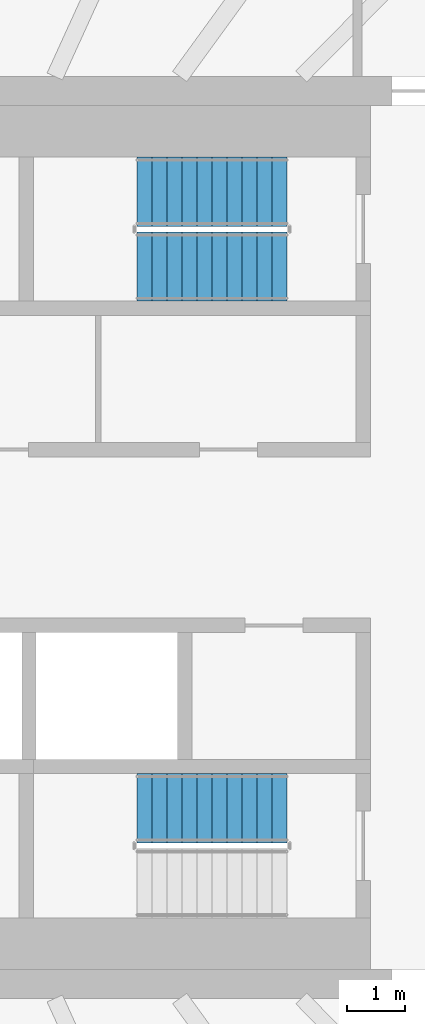
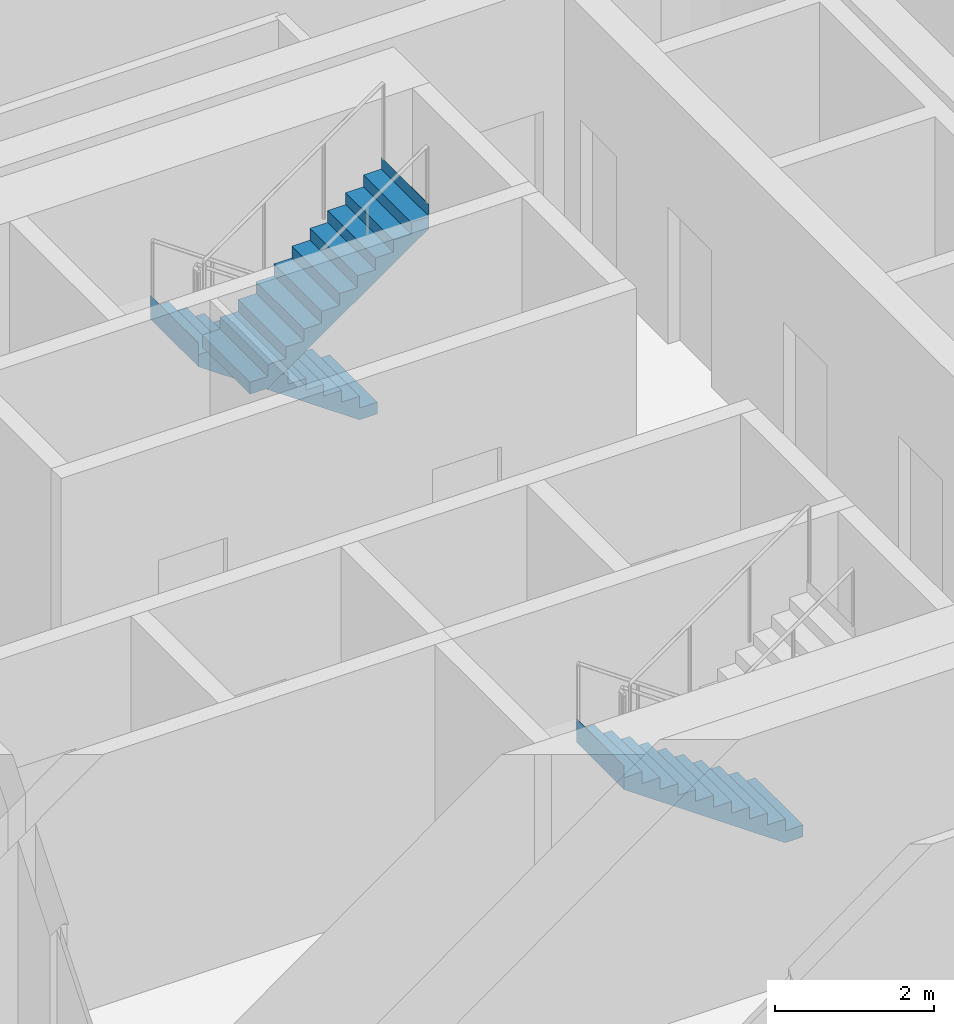
# One storey, part 16 of 22: 3 stair flights, 2 elements without a shape of their own.
"""IFC4 building model written with IfcOpenShell, lengths in metres."""

from ifc_helpers import new_model, si_unit, direction, frame, origin, place, context, subcontext, project, spatial, triangles, material, type_object, element, aggregate, save


model = new_model("IFC4")

# Units and contexts
model_context = context("Model", 3, precision=1e-05, world=origin(), true_north=direction((0.0, 1.0)))
body_context = subcontext(model_context, "Body", "Model", "MODEL_VIEW")
ifc_project = project(units=[si_unit("LENGTHUNIT", "METRE"), si_unit("AREAUNIT", "SQUARE_METRE"), si_unit("VOLUMEUNIT", "CUBIC_METRE"), si_unit("PLANEANGLEUNIT", "RADIAN"), si_unit("MASSUNIT", "GRAM", prefix="KILO")], contexts=[model_context])

# Site, building, storey
site_placement = place(None, origin())
site = spatial("IfcSite", under=ifc_project, at=site_placement, CompositionType="ELEMENT")
building_placement = place(site_placement, origin())
building = spatial("IfcBuilding", under=site, at=building_placement, Name="Sahrelin Media Tower", CompositionType="ELEMENT")
storey_placement = place(building_placement, frame((0.0, 0.0, 177.60009765625)))
storey = spatial("IfcBuildingStorey", under=building, at=storey_placement, Name="L37", CompositionType="ELEMENT", Elevation=177.60009765625)

# Stair, stair flights
ifc_material = material(Name="Concrete C40/50", Category="concrete")
stair_type = type_object("IfcStairType", Name="Exit stair 1200", PredefinedType="HALF_TURN_STAIR", material=ifc_material)
placement = place(storey_placement, origin())
stair_1 = element("IfcStair", 1, at=placement, inside=storey, type_object=stair_type, Name="L37 Exit stair ST3", PredefinedType="HALF_TURN_STAIR")
stair_flight_type = type_object("IfcStairFlightType", Name="Stair flight 1200", PredefinedType="STRAIGHT", material=ifc_material)
stair_flight_1_placement = place(storey_placement, frame((7.675048828125, 6.0, 0.0), z_axis=(0.0, 0.0, 1.0), x_axis=(-1.0, 0.0, 0.0)))
stair_flight_1 = element("IfcStairFlight", 2, at=stair_flight_1_placement, type_object=stair_flight_type, Name="ST3 flight 1", NumberOfRisers=11, NumberOfTreads=10, PredefinedType="STRAIGHT", RiserHeight=0.181818182, TreadLength=0.26, context=body_context, shape_type="Tessellation", body=[
    triangles([(0.261474609375, 0.60009765625, 0.0), (0.261474609375, 0.300048828125, 0.0), (0.261474609375, 0.0, 0.0), (0.261474609375, -0.300048828125, 0.0), (0.261474609375, -0.60009765625, 0.0), (2.60009765625, 0.60009765625, 1.63525390625), (2.60009765625, 0.300048828125, 1.63525390625), (2.60009765625, 0.0, 1.63525390625), (2.60009765625, -0.300048828125, 1.63525390625), (2.60009765625, -0.60009765625, 1.63525390625), (2.60009765625, 0.60009765625, 2.0), (2.60009765625, 0.300048828125, 2.0), (2.60009765625, 0.0, 2.0), (2.60009765625, -0.300048828125, 2.0), (2.60009765625, -0.60009765625, 2.0), (2.597900390625, 0.60009765625, 2.0), (2.597900390625, 0.300048828125, 2.0), (2.597900390625, 0.0, 2.0), (2.597900390625, -0.300048828125, 2.0), (2.597900390625, -0.60009765625, 2.0), (2.597900390625, 0.60009765625, 1.818115234375), (2.597900390625, 0.300048828125, 1.818115234375), (2.597900390625, 0.0, 1.818115234375), (2.597900390625, -0.300048828125, 1.818115234375), (2.597900390625, -0.60009765625, 1.818115234375), (2.340087890625, 0.60009765625, 1.818115234375), (2.340087890625, 0.300048828125, 1.818115234375), (2.340087890625, 0.0, 1.818115234375), (2.340087890625, -0.300048828125, 1.818115234375), (2.340087890625, -0.60009765625, 1.818115234375), (2.340087890625, 0.60009765625, 1.636474609375), (2.340087890625, 0.300048828125, 1.636474609375), (2.340087890625, 0.0, 1.636474609375), (2.340087890625, -0.300048828125, 1.636474609375), (2.340087890625, -0.60009765625, 1.636474609375), (2.080078125, 0.60009765625, 1.636474609375), (2.080078125, 0.300048828125, 1.636474609375), (2.080078125, 0.0, 1.636474609375), (2.080078125, -0.300048828125, 1.636474609375), (2.080078125, -0.60009765625, 1.636474609375), (2.080078125, 0.60009765625, 1.45458984375), (2.080078125, 0.300048828125, 1.45458984375), (2.080078125, 0.0, 1.45458984375), (2.080078125, -0.300048828125, 1.45458984375), (2.080078125, -0.60009765625, 1.45458984375), (1.820068359375, 0.60009765625, 1.45458984375), (1.820068359375, 0.300048828125, 1.45458984375), (1.820068359375, 0.0, 1.45458984375), (1.820068359375, -0.300048828125, 1.45458984375), (1.820068359375, -0.60009765625, 1.45458984375), (1.820068359375, 0.60009765625, 1.272705078125), (1.820068359375, 0.300048828125, 1.272705078125), (1.820068359375, 0.0, 1.272705078125), (1.820068359375, -0.300048828125, 1.272705078125), (1.820068359375, -0.60009765625, 1.272705078125), (1.56005859375, 0.60009765625, 1.272705078125), (1.56005859375, 0.300048828125, 1.272705078125), (1.56005859375, 0.0, 1.272705078125), (1.56005859375, -0.300048828125, 1.272705078125), (1.56005859375, -0.60009765625, 1.272705078125), (1.56005859375, 0.60009765625, 1.0908203125), (1.56005859375, 0.300048828125, 1.0908203125), (1.56005859375, 0.0, 1.0908203125), (1.56005859375, -0.300048828125, 1.0908203125), (1.56005859375, -0.60009765625, 1.0908203125), (1.300048828125, 0.60009765625, 1.0908203125), (1.300048828125, 0.300048828125, 1.0908203125), (1.300048828125, 0.0, 1.0908203125), (1.300048828125, -0.300048828125, 1.0908203125), (1.300048828125, -0.60009765625, 1.0908203125), (1.300048828125, 0.60009765625, 0.9091796875), (1.300048828125, 0.300048828125, 0.9091796875), (1.300048828125, 0.0, 0.9091796875), (1.300048828125, -0.300048828125, 0.9091796875), (1.300048828125, -0.60009765625, 0.9091796875), (1.0400390625, 0.60009765625, 0.9091796875), (1.0400390625, 0.300048828125, 0.9091796875), (1.0400390625, 0.0, 0.9091796875), (1.0400390625, -0.300048828125, 0.9091796875), (1.0400390625, -0.60009765625, 0.9091796875), (1.0400390625, 0.60009765625, 0.727294921875), (1.0400390625, 0.300048828125, 0.727294921875), (1.0400390625, 0.0, 0.727294921875), (1.0400390625, -0.300048828125, 0.727294921875), (1.0400390625, -0.60009765625, 0.727294921875), (0.780029296875, 0.60009765625, 0.727294921875), (0.780029296875, 0.300048828125, 0.727294921875), (0.780029296875, 0.0, 0.727294921875), (0.780029296875, -0.300048828125, 0.727294921875), (0.780029296875, -0.60009765625, 0.727294921875), (0.780029296875, 0.60009765625, 0.54541015625), (0.780029296875, 0.300048828125, 0.54541015625), (0.780029296875, 0.0, 0.54541015625), (0.780029296875, -0.300048828125, 0.54541015625), (0.780029296875, -0.60009765625, 0.54541015625), (0.52001953125, 0.60009765625, 0.54541015625), (0.52001953125, 0.300048828125, 0.54541015625), (0.52001953125, 0.0, 0.54541015625), (0.52001953125, -0.300048828125, 0.54541015625), (0.52001953125, -0.60009765625, 0.54541015625), (0.52001953125, 0.60009765625, 0.363525390625), (0.52001953125, 0.300048828125, 0.363525390625), (0.52001953125, 0.0, 0.363525390625), (0.52001953125, -0.300048828125, 0.363525390625), (0.52001953125, -0.60009765625, 0.363525390625), (0.260009765625, 0.60009765625, 0.363525390625), (0.260009765625, 0.300048828125, 0.363525390625), (0.260009765625, 0.0, 0.363525390625), (0.260009765625, -0.300048828125, 0.363525390625), (0.260009765625, -0.60009765625, 0.363525390625), (0.260009765625, 0.60009765625, 0.181884765625), (0.260009765625, 0.300048828125, 0.181884765625), (0.260009765625, 0.0, 0.181884765625), (0.260009765625, -0.300048828125, 0.181884765625), (0.260009765625, -0.60009765625, 0.181884765625), (0.0, 0.60009765625, 0.181884765625), (0.0, 0.300048828125, 0.181884765625), (0.0, 0.0, 0.181884765625), (0.0, -0.300048828125, 0.181884765625), (0.0, -0.60009765625, 0.181884765625), (0.0, 0.60009765625, 0.0), (0.0, 0.300048828125, 0.0), (0.0, 0.0, 0.0), (0.0, -0.300048828125, 0.0), (0.0, -0.60009765625, 0.0)], [[1, 6, 7], [1, 7, 2], [2, 7, 8], [2, 8, 3], [3, 8, 9], [3, 9, 4], [4, 9, 10], [4, 10, 5], [6, 11, 12], [6, 12, 7], [7, 12, 13], [7, 13, 8], [8, 13, 14], [8, 14, 9], [9, 14, 15], [9, 15, 10], [11, 16, 17], [11, 17, 12], [12, 17, 18], [12, 18, 13], [13, 18, 19], [13, 19, 14], [14, 19, 20], [14, 20, 15], [16, 21, 22], [16, 22, 17], [17, 22, 23], [17, 23, 18], [18, 23, 24], [18, 24, 19], [19, 24, 25], [19, 25, 20], [21, 26, 27], [21, 27, 22], [22, 27, 28], [22, 28, 23], [23, 28, 29], [23, 29, 24], [24, 29, 30], [24, 30, 25], [26, 31, 32], [26, 32, 27], [27, 32, 33], [27, 33, 28], [28, 33, 34], [28, 34, 29], [29, 34, 35], [29, 35, 30], [31, 36, 37], [31, 37, 32], [32, 37, 38], [32, 38, 33], [33, 38, 39], [33, 39, 34], [34, 39, 40], [34, 40, 35], [36, 41, 42], [36, 42, 37], [37, 42, 43], [37, 43, 38], [38, 43, 44], [38, 44, 39], [39, 44, 45], [39, 45, 40], [41, 46, 47], [41, 47, 42], [42, 47, 48], [42, 48, 43], [43, 48, 49], [43, 49, 44], [44, 49, 50], [44, 50, 45], [46, 51, 52], [46, 52, 47], [47, 52, 53], [47, 53, 48], [48, 53, 54], [48, 54, 49], [49, 54, 55], [49, 55, 50], [51, 56, 57], [51, 57, 52], [52, 57, 58], [52, 58, 53], [53, 58, 59], [53, 59, 54], [54, 59, 60], [54, 60, 55], [56, 61, 62], [56, 62, 57], [57, 62, 63], [57, 63, 58], [58, 63, 64], [58, 64, 59], [59, 64, 65], [59, 65, 60], [61, 66, 67], [61, 67, 62], [62, 67, 68], [62, 68, 63], [63, 68, 69], [63, 69, 64], [64, 69, 70], [64, 70, 65], [66, 71, 72], [66, 72, 67], [67, 72, 73], [67, 73, 68], [68, 73, 74], [68, 74, 69], [69, 74, 75], [69, 75, 70], [71, 76, 77], [71, 77, 72], [72, 77, 78], [72, 78, 73], [73, 78, 79], [73, 79, 74], [74, 79, 80], [74, 80, 75], [76, 81, 82], [76, 82, 77], [77, 82, 83], [77, 83, 78], [78, 83, 84], [78, 84, 79], [79, 84, 85], [79, 85, 80], [81, 86, 87], [81, 87, 82], [82, 87, 88], [82, 88, 83], [83, 88, 89], [83, 89, 84], [84, 89, 90], [84, 90, 85], [86, 91, 92], [86, 92, 87], [87, 92, 93], [87, 93, 88], [88, 93, 94], [88, 94, 89], [89, 94, 95], [89, 95, 90], [91, 96, 97], [91, 97, 92], [92, 97, 98], [92, 98, 93], [93, 98, 99], [93, 99, 94], [94, 99, 100], [94, 100, 95], [96, 101, 102], [96, 102, 97], [97, 102, 103], [97, 103, 98], [98, 103, 104], [98, 104, 99], [99, 104, 105], [99, 105, 100], [101, 106, 107], [101, 107, 102], [102, 107, 108], [102, 108, 103], [103, 108, 109], [103, 109, 104], [104, 109, 110], [104, 110, 105], [106, 111, 112], [106, 112, 107], [107, 112, 113], [107, 113, 108], [108, 113, 114], [108, 114, 109], [109, 114, 115], [109, 115, 110], [111, 116, 117], [111, 117, 112], [112, 117, 118], [112, 118, 113], [113, 118, 119], [113, 119, 114], [114, 119, 120], [114, 120, 115], [116, 121, 122], [116, 122, 117], [117, 122, 123], [117, 123, 118], [118, 123, 124], [118, 124, 119], [119, 124, 125], [119, 125, 120], [121, 1, 2], [121, 2, 122], [122, 2, 3], [122, 3, 123], [123, 3, 4], [123, 4, 124], [124, 4, 5], [124, 5, 125], [115, 120, 125], [111, 121, 116], [115, 105, 110], [111, 106, 101], [105, 95, 100], [101, 96, 91], [95, 85, 90], [91, 86, 81], [85, 75, 80], [81, 76, 71], [75, 65, 70], [71, 66, 61], [65, 55, 60], [61, 56, 51], [55, 45, 50], [51, 46, 41], [45, 35, 40], [41, 36, 31], [35, 25, 30], [31, 26, 21], [25, 15, 20], [21, 16, 11], [125, 5, 115], [121, 111, 1], [25, 10, 15], [21, 11, 6], [105, 115, 5], [101, 1, 111], [35, 10, 25], [31, 21, 6], [95, 105, 5], [91, 1, 101], [45, 10, 35], [41, 31, 6], [85, 95, 5], [81, 1, 91], [55, 10, 45], [51, 41, 6], [75, 85, 5], [71, 1, 81], [65, 10, 55], [61, 51, 6], [5, 10, 75], [1, 71, 6], [75, 10, 65], [71, 61, 6]], closed=True),
])
stair_flight_2_placement = place(storey_placement, frame((5.074951171875, 4.699951171875, 2.0), z_axis=(0.0, 0.0, 1.0), x_axis=(1.0, 0.0, 0.0)))
stair_flight_2 = element("IfcStairFlight", 3, at=stair_flight_2_placement, type_object=stair_flight_type, Name="ST3 flight 2", NumberOfRisers=11, NumberOfTreads=10, PredefinedType="STRAIGHT", RiserHeight=0.181818182, TreadLength=0.26, context=body_context, shape_type="Tessellation", body=[
    triangles([(0.261474609375, 0.60009765625, 0.0), (0.261474609375, 0.300048828125, 0.0), (0.261474609375, 0.0, 0.0), (0.261474609375, -0.300048828125, 0.0), (0.261474609375, -0.60009765625, 0.0), (2.60009765625, 0.60009765625, 1.63525390625), (2.60009765625, 0.300048828125, 1.63525390625), (2.60009765625, 0.0, 1.63525390625), (2.60009765625, -0.300048828125, 1.63525390625), (2.60009765625, -0.60009765625, 1.63525390625), (2.60009765625, 0.60009765625, 2.0), (2.60009765625, 0.300048828125, 2.0), (2.60009765625, 0.0, 2.0), (2.60009765625, -0.300048828125, 2.0), (2.60009765625, -0.60009765625, 2.0), (2.597900390625, 0.60009765625, 2.0), (2.597900390625, 0.300048828125, 2.0), (2.597900390625, 0.0, 2.0), (2.597900390625, -0.300048828125, 2.0), (2.597900390625, -0.60009765625, 2.0), (2.597900390625, 0.60009765625, 1.818115234375), (2.597900390625, 0.300048828125, 1.818115234375), (2.597900390625, 0.0, 1.818115234375), (2.597900390625, -0.300048828125, 1.818115234375), (2.597900390625, -0.60009765625, 1.818115234375), (2.340087890625, 0.60009765625, 1.818115234375), (2.340087890625, 0.300048828125, 1.818115234375), (2.340087890625, 0.0, 1.818115234375), (2.340087890625, -0.300048828125, 1.818115234375), (2.340087890625, -0.60009765625, 1.818115234375), (2.340087890625, 0.60009765625, 1.636474609375), (2.340087890625, 0.300048828125, 1.636474609375), (2.340087890625, 0.0, 1.636474609375), (2.340087890625, -0.300048828125, 1.636474609375), (2.340087890625, -0.60009765625, 1.636474609375), (2.080078125, 0.60009765625, 1.636474609375), (2.080078125, 0.300048828125, 1.636474609375), (2.080078125, 0.0, 1.636474609375), (2.080078125, -0.300048828125, 1.636474609375), (2.080078125, -0.60009765625, 1.636474609375), (2.080078125, 0.60009765625, 1.45458984375), (2.080078125, 0.300048828125, 1.45458984375), (2.080078125, 0.0, 1.45458984375), (2.080078125, -0.300048828125, 1.45458984375), (2.080078125, -0.60009765625, 1.45458984375), (1.820068359375, 0.60009765625, 1.45458984375), (1.820068359375, 0.300048828125, 1.45458984375), (1.820068359375, 0.0, 1.45458984375), (1.820068359375, -0.300048828125, 1.45458984375), (1.820068359375, -0.60009765625, 1.45458984375), (1.820068359375, 0.60009765625, 1.272705078125), (1.820068359375, 0.300048828125, 1.272705078125), (1.820068359375, 0.0, 1.272705078125), (1.820068359375, -0.300048828125, 1.272705078125), (1.820068359375, -0.60009765625, 1.272705078125), (1.56005859375, 0.60009765625, 1.272705078125), (1.56005859375, 0.300048828125, 1.272705078125), (1.56005859375, 0.0, 1.272705078125), (1.56005859375, -0.300048828125, 1.272705078125), (1.56005859375, -0.60009765625, 1.272705078125), (1.56005859375, 0.60009765625, 1.0908203125), (1.56005859375, 0.300048828125, 1.0908203125), (1.56005859375, 0.0, 1.0908203125), (1.56005859375, -0.300048828125, 1.0908203125), (1.56005859375, -0.60009765625, 1.0908203125), (1.300048828125, 0.60009765625, 1.0908203125), (1.300048828125, 0.300048828125, 1.0908203125), (1.300048828125, 0.0, 1.0908203125), (1.300048828125, -0.300048828125, 1.0908203125), (1.300048828125, -0.60009765625, 1.0908203125), (1.300048828125, 0.60009765625, 0.9091796875), (1.300048828125, 0.300048828125, 0.9091796875), (1.300048828125, 0.0, 0.9091796875), (1.300048828125, -0.300048828125, 0.9091796875), (1.300048828125, -0.60009765625, 0.9091796875), (1.0400390625, 0.60009765625, 0.9091796875), (1.0400390625, 0.300048828125, 0.9091796875), (1.0400390625, 0.0, 0.9091796875), (1.0400390625, -0.300048828125, 0.9091796875), (1.0400390625, -0.60009765625, 0.9091796875), (1.0400390625, 0.60009765625, 0.727294921875), (1.0400390625, 0.300048828125, 0.727294921875), (1.0400390625, 0.0, 0.727294921875), (1.0400390625, -0.300048828125, 0.727294921875), (1.0400390625, -0.60009765625, 0.727294921875), (0.780029296875, 0.60009765625, 0.727294921875), (0.780029296875, 0.300048828125, 0.727294921875), (0.780029296875, 0.0, 0.727294921875), (0.780029296875, -0.300048828125, 0.727294921875), (0.780029296875, -0.60009765625, 0.727294921875), (0.780029296875, 0.60009765625, 0.54541015625), (0.780029296875, 0.300048828125, 0.54541015625), (0.780029296875, 0.0, 0.54541015625), (0.780029296875, -0.300048828125, 0.54541015625), (0.780029296875, -0.60009765625, 0.54541015625), (0.52001953125, 0.60009765625, 0.54541015625), (0.52001953125, 0.300048828125, 0.54541015625), (0.52001953125, 0.0, 0.54541015625), (0.52001953125, -0.300048828125, 0.54541015625), (0.52001953125, -0.60009765625, 0.54541015625), (0.52001953125, 0.60009765625, 0.363525390625), (0.52001953125, 0.300048828125, 0.363525390625), (0.52001953125, 0.0, 0.363525390625), (0.52001953125, -0.300048828125, 0.363525390625), (0.52001953125, -0.60009765625, 0.363525390625), (0.260009765625, 0.60009765625, 0.363525390625), (0.260009765625, 0.300048828125, 0.363525390625), (0.260009765625, 0.0, 0.363525390625), (0.260009765625, -0.300048828125, 0.363525390625), (0.260009765625, -0.60009765625, 0.363525390625), (0.260009765625, 0.60009765625, 0.181884765625), (0.260009765625, 0.300048828125, 0.181884765625), (0.260009765625, 0.0, 0.181884765625), (0.260009765625, -0.300048828125, 0.181884765625), (0.260009765625, -0.60009765625, 0.181884765625), (0.0, 0.60009765625, 0.181884765625), (0.0, 0.300048828125, 0.181884765625), (0.0, 0.0, 0.181884765625), (0.0, -0.300048828125, 0.181884765625), (0.0, -0.60009765625, 0.181884765625), (0.0, 0.60009765625, 0.0), (0.0, 0.300048828125, 0.0), (0.0, 0.0, 0.0), (0.0, -0.300048828125, 0.0), (0.0, -0.60009765625, 0.0)], [[1, 6, 7], [1, 7, 2], [2, 7, 8], [2, 8, 3], [3, 8, 9], [3, 9, 4], [4, 9, 10], [4, 10, 5], [6, 11, 12], [6, 12, 7], [7, 12, 13], [7, 13, 8], [8, 13, 14], [8, 14, 9], [9, 14, 15], [9, 15, 10], [11, 16, 17], [11, 17, 12], [12, 17, 18], [12, 18, 13], [13, 18, 19], [13, 19, 14], [14, 19, 20], [14, 20, 15], [16, 21, 22], [16, 22, 17], [17, 22, 23], [17, 23, 18], [18, 23, 24], [18, 24, 19], [19, 24, 25], [19, 25, 20], [21, 26, 27], [21, 27, 22], [22, 27, 28], [22, 28, 23], [23, 28, 29], [23, 29, 24], [24, 29, 30], [24, 30, 25], [26, 31, 32], [26, 32, 27], [27, 32, 33], [27, 33, 28], [28, 33, 34], [28, 34, 29], [29, 34, 35], [29, 35, 30], [31, 36, 37], [31, 37, 32], [32, 37, 38], [32, 38, 33], [33, 38, 39], [33, 39, 34], [34, 39, 40], [34, 40, 35], [36, 41, 42], [36, 42, 37], [37, 42, 43], [37, 43, 38], [38, 43, 44], [38, 44, 39], [39, 44, 45], [39, 45, 40], [41, 46, 47], [41, 47, 42], [42, 47, 48], [42, 48, 43], [43, 48, 49], [43, 49, 44], [44, 49, 50], [44, 50, 45], [46, 51, 52], [46, 52, 47], [47, 52, 53], [47, 53, 48], [48, 53, 54], [48, 54, 49], [49, 54, 55], [49, 55, 50], [51, 56, 57], [51, 57, 52], [52, 57, 58], [52, 58, 53], [53, 58, 59], [53, 59, 54], [54, 59, 60], [54, 60, 55], [56, 61, 62], [56, 62, 57], [57, 62, 63], [57, 63, 58], [58, 63, 64], [58, 64, 59], [59, 64, 65], [59, 65, 60], [61, 66, 67], [61, 67, 62], [62, 67, 68], [62, 68, 63], [63, 68, 69], [63, 69, 64], [64, 69, 70], [64, 70, 65], [66, 71, 72], [66, 72, 67], [67, 72, 73], [67, 73, 68], [68, 73, 74], [68, 74, 69], [69, 74, 75], [69, 75, 70], [71, 76, 77], [71, 77, 72], [72, 77, 78], [72, 78, 73], [73, 78, 79], [73, 79, 74], [74, 79, 80], [74, 80, 75], [76, 81, 82], [76, 82, 77], [77, 82, 83], [77, 83, 78], [78, 83, 84], [78, 84, 79], [79, 84, 85], [79, 85, 80], [81, 86, 87], [81, 87, 82], [82, 87, 88], [82, 88, 83], [83, 88, 89], [83, 89, 84], [84, 89, 90], [84, 90, 85], [86, 91, 92], [86, 92, 87], [87, 92, 93], [87, 93, 88], [88, 93, 94], [88, 94, 89], [89, 94, 95], [89, 95, 90], [91, 96, 97], [91, 97, 92], [92, 97, 98], [92, 98, 93], [93, 98, 99], [93, 99, 94], [94, 99, 100], [94, 100, 95], [96, 101, 102], [96, 102, 97], [97, 102, 103], [97, 103, 98], [98, 103, 104], [98, 104, 99], [99, 104, 105], [99, 105, 100], [101, 106, 107], [101, 107, 102], [102, 107, 108], [102, 108, 103], [103, 108, 109], [103, 109, 104], [104, 109, 110], [104, 110, 105], [106, 111, 112], [106, 112, 107], [107, 112, 113], [107, 113, 108], [108, 113, 114], [108, 114, 109], [109, 114, 115], [109, 115, 110], [111, 116, 117], [111, 117, 112], [112, 117, 118], [112, 118, 113], [113, 118, 119], [113, 119, 114], [114, 119, 120], [114, 120, 115], [116, 121, 122], [116, 122, 117], [117, 122, 123], [117, 123, 118], [118, 123, 124], [118, 124, 119], [119, 124, 125], [119, 125, 120], [121, 1, 2], [121, 2, 122], [122, 2, 3], [122, 3, 123], [123, 3, 4], [123, 4, 124], [124, 4, 5], [124, 5, 125], [115, 120, 125], [111, 121, 116], [115, 105, 110], [111, 106, 101], [105, 95, 100], [101, 96, 91], [95, 85, 90], [91, 86, 81], [85, 75, 80], [81, 76, 71], [75, 65, 70], [71, 66, 61], [65, 55, 60], [61, 56, 51], [55, 45, 50], [51, 46, 41], [45, 35, 40], [41, 36, 31], [35, 25, 30], [31, 26, 21], [25, 15, 20], [21, 16, 11], [125, 5, 115], [121, 111, 1], [25, 10, 15], [21, 11, 6], [105, 115, 5], [101, 1, 111], [35, 10, 25], [31, 21, 6], [95, 105, 5], [91, 1, 101], [45, 10, 35], [41, 31, 6], [85, 95, 5], [81, 1, 91], [55, 10, 45], [51, 41, 6], [75, 85, 5], [71, 1, 81], [65, 10, 55], [61, 51, 6], [5, 10, 75], [1, 71, 6], [75, 10, 65], [71, 61, 6]], closed=True),
])
aggregate(stair_1, [stair_flight_1, stair_flight_2])

# Stair, stair flight
stair_2 = element("IfcStair", 4, at=placement, inside=storey, type_object=stair_type, Name="L37 Exit stair ST2", PredefinedType="HALF_TURN_STAIR")
stair_flight_3_placement = place(storey_placement, frame((7.675048828125, -4.699951171875, 0.0), z_axis=(0.0, 0.0, 1.0), x_axis=(-1.0, 0.0, 0.0)))
stair_flight_3 = element("IfcStairFlight", 5, at=stair_flight_3_placement, type_object=stair_flight_type, Name="ST2 flight 1", NumberOfRisers=11, NumberOfTreads=10, PredefinedType="STRAIGHT", RiserHeight=0.181818182, TreadLength=0.26, context=body_context, shape_type="Tessellation", body=[
    triangles([(0.261474609375, 0.60009765625, 0.0), (0.261474609375, 0.300048828125, 0.0), (0.261474609375, 0.0, 0.0), (0.261474609375, -0.300048828125, 0.0), (0.261474609375, -0.60009765625, 0.0), (2.60009765625, 0.60009765625, 1.63525390625), (2.60009765625, 0.300048828125, 1.63525390625), (2.60009765625, 0.0, 1.63525390625), (2.60009765625, -0.300048828125, 1.63525390625), (2.60009765625, -0.60009765625, 1.63525390625), (2.60009765625, 0.60009765625, 2.0), (2.60009765625, 0.300048828125, 2.0), (2.60009765625, 0.0, 2.0), (2.60009765625, -0.300048828125, 2.0), (2.60009765625, -0.60009765625, 2.0), (2.597900390625, 0.60009765625, 2.0), (2.597900390625, 0.300048828125, 2.0), (2.597900390625, 0.0, 2.0), (2.597900390625, -0.300048828125, 2.0), (2.597900390625, -0.60009765625, 2.0), (2.597900390625, 0.60009765625, 1.818115234375), (2.597900390625, 0.300048828125, 1.818115234375), (2.597900390625, 0.0, 1.818115234375), (2.597900390625, -0.300048828125, 1.818115234375), (2.597900390625, -0.60009765625, 1.818115234375), (2.340087890625, 0.60009765625, 1.818115234375), (2.340087890625, 0.300048828125, 1.818115234375), (2.340087890625, 0.0, 1.818115234375), (2.340087890625, -0.300048828125, 1.818115234375), (2.340087890625, -0.60009765625, 1.818115234375), (2.340087890625, 0.60009765625, 1.636474609375), (2.340087890625, 0.300048828125, 1.636474609375), (2.340087890625, 0.0, 1.636474609375), (2.340087890625, -0.300048828125, 1.636474609375), (2.340087890625, -0.60009765625, 1.636474609375), (2.080078125, 0.60009765625, 1.636474609375), (2.080078125, 0.300048828125, 1.636474609375), (2.080078125, 0.0, 1.636474609375), (2.080078125, -0.300048828125, 1.636474609375), (2.080078125, -0.60009765625, 1.636474609375), (2.080078125, 0.60009765625, 1.45458984375), (2.080078125, 0.300048828125, 1.45458984375), (2.080078125, 0.0, 1.45458984375), (2.080078125, -0.300048828125, 1.45458984375), (2.080078125, -0.60009765625, 1.45458984375), (1.820068359375, 0.60009765625, 1.45458984375), (1.820068359375, 0.300048828125, 1.45458984375), (1.820068359375, 0.0, 1.45458984375), (1.820068359375, -0.300048828125, 1.45458984375), (1.820068359375, -0.60009765625, 1.45458984375), (1.820068359375, 0.60009765625, 1.272705078125), (1.820068359375, 0.300048828125, 1.272705078125), (1.820068359375, 0.0, 1.272705078125), (1.820068359375, -0.300048828125, 1.272705078125), (1.820068359375, -0.60009765625, 1.272705078125), (1.56005859375, 0.60009765625, 1.272705078125), (1.56005859375, 0.300048828125, 1.272705078125), (1.56005859375, 0.0, 1.272705078125), (1.56005859375, -0.300048828125, 1.272705078125), (1.56005859375, -0.60009765625, 1.272705078125), (1.56005859375, 0.60009765625, 1.0908203125), (1.56005859375, 0.300048828125, 1.0908203125), (1.56005859375, 0.0, 1.0908203125), (1.56005859375, -0.300048828125, 1.0908203125), (1.56005859375, -0.60009765625, 1.0908203125), (1.300048828125, 0.60009765625, 1.0908203125), (1.300048828125, 0.300048828125, 1.0908203125), (1.300048828125, 0.0, 1.0908203125), (1.300048828125, -0.300048828125, 1.0908203125), (1.300048828125, -0.60009765625, 1.0908203125), (1.300048828125, 0.60009765625, 0.9091796875), (1.300048828125, 0.300048828125, 0.9091796875), (1.300048828125, 0.0, 0.9091796875), (1.300048828125, -0.300048828125, 0.9091796875), (1.300048828125, -0.60009765625, 0.9091796875), (1.0400390625, 0.60009765625, 0.9091796875), (1.0400390625, 0.300048828125, 0.9091796875), (1.0400390625, 0.0, 0.9091796875), (1.0400390625, -0.300048828125, 0.9091796875), (1.0400390625, -0.60009765625, 0.9091796875), (1.0400390625, 0.60009765625, 0.727294921875), (1.0400390625, 0.300048828125, 0.727294921875), (1.0400390625, 0.0, 0.727294921875), (1.0400390625, -0.300048828125, 0.727294921875), (1.0400390625, -0.60009765625, 0.727294921875), (0.780029296875, 0.60009765625, 0.727294921875), (0.780029296875, 0.300048828125, 0.727294921875), (0.780029296875, 0.0, 0.727294921875), (0.780029296875, -0.300048828125, 0.727294921875), (0.780029296875, -0.60009765625, 0.727294921875), (0.780029296875, 0.60009765625, 0.54541015625), (0.780029296875, 0.300048828125, 0.54541015625), (0.780029296875, 0.0, 0.54541015625), (0.780029296875, -0.300048828125, 0.54541015625), (0.780029296875, -0.60009765625, 0.54541015625), (0.52001953125, 0.60009765625, 0.54541015625), (0.52001953125, 0.300048828125, 0.54541015625), (0.52001953125, 0.0, 0.54541015625), (0.52001953125, -0.300048828125, 0.54541015625), (0.52001953125, -0.60009765625, 0.54541015625), (0.52001953125, 0.60009765625, 0.363525390625), (0.52001953125, 0.300048828125, 0.363525390625), (0.52001953125, 0.0, 0.363525390625), (0.52001953125, -0.300048828125, 0.363525390625), (0.52001953125, -0.60009765625, 0.363525390625), (0.260009765625, 0.60009765625, 0.363525390625), (0.260009765625, 0.300048828125, 0.363525390625), (0.260009765625, 0.0, 0.363525390625), (0.260009765625, -0.300048828125, 0.363525390625), (0.260009765625, -0.60009765625, 0.363525390625), (0.260009765625, 0.60009765625, 0.181884765625), (0.260009765625, 0.300048828125, 0.181884765625), (0.260009765625, 0.0, 0.181884765625), (0.260009765625, -0.300048828125, 0.181884765625), (0.260009765625, -0.60009765625, 0.181884765625), (0.0, 0.60009765625, 0.181884765625), (0.0, 0.300048828125, 0.181884765625), (0.0, 0.0, 0.181884765625), (0.0, -0.300048828125, 0.181884765625), (0.0, -0.60009765625, 0.181884765625), (0.0, 0.60009765625, 0.0), (0.0, 0.300048828125, 0.0), (0.0, 0.0, 0.0), (0.0, -0.300048828125, 0.0), (0.0, -0.60009765625, 0.0)], [[1, 6, 7], [1, 7, 2], [2, 7, 8], [2, 8, 3], [3, 8, 9], [3, 9, 4], [4, 9, 10], [4, 10, 5], [6, 11, 12], [6, 12, 7], [7, 12, 13], [7, 13, 8], [8, 13, 14], [8, 14, 9], [9, 14, 15], [9, 15, 10], [11, 16, 17], [11, 17, 12], [12, 17, 18], [12, 18, 13], [13, 18, 19], [13, 19, 14], [14, 19, 20], [14, 20, 15], [16, 21, 22], [16, 22, 17], [17, 22, 23], [17, 23, 18], [18, 23, 24], [18, 24, 19], [19, 24, 25], [19, 25, 20], [21, 26, 27], [21, 27, 22], [22, 27, 28], [22, 28, 23], [23, 28, 29], [23, 29, 24], [24, 29, 30], [24, 30, 25], [26, 31, 32], [26, 32, 27], [27, 32, 33], [27, 33, 28], [28, 33, 34], [28, 34, 29], [29, 34, 35], [29, 35, 30], [31, 36, 37], [31, 37, 32], [32, 37, 38], [32, 38, 33], [33, 38, 39], [33, 39, 34], [34, 39, 40], [34, 40, 35], [36, 41, 42], [36, 42, 37], [37, 42, 43], [37, 43, 38], [38, 43, 44], [38, 44, 39], [39, 44, 45], [39, 45, 40], [41, 46, 47], [41, 47, 42], [42, 47, 48], [42, 48, 43], [43, 48, 49], [43, 49, 44], [44, 49, 50], [44, 50, 45], [46, 51, 52], [46, 52, 47], [47, 52, 53], [47, 53, 48], [48, 53, 54], [48, 54, 49], [49, 54, 55], [49, 55, 50], [51, 56, 57], [51, 57, 52], [52, 57, 58], [52, 58, 53], [53, 58, 59], [53, 59, 54], [54, 59, 60], [54, 60, 55], [56, 61, 62], [56, 62, 57], [57, 62, 63], [57, 63, 58], [58, 63, 64], [58, 64, 59], [59, 64, 65], [59, 65, 60], [61, 66, 67], [61, 67, 62], [62, 67, 68], [62, 68, 63], [63, 68, 69], [63, 69, 64], [64, 69, 70], [64, 70, 65], [66, 71, 72], [66, 72, 67], [67, 72, 73], [67, 73, 68], [68, 73, 74], [68, 74, 69], [69, 74, 75], [69, 75, 70], [71, 76, 77], [71, 77, 72], [72, 77, 78], [72, 78, 73], [73, 78, 79], [73, 79, 74], [74, 79, 80], [74, 80, 75], [76, 81, 82], [76, 82, 77], [77, 82, 83], [77, 83, 78], [78, 83, 84], [78, 84, 79], [79, 84, 85], [79, 85, 80], [81, 86, 87], [81, 87, 82], [82, 87, 88], [82, 88, 83], [83, 88, 89], [83, 89, 84], [84, 89, 90], [84, 90, 85], [86, 91, 92], [86, 92, 87], [87, 92, 93], [87, 93, 88], [88, 93, 94], [88, 94, 89], [89, 94, 95], [89, 95, 90], [91, 96, 97], [91, 97, 92], [92, 97, 98], [92, 98, 93], [93, 98, 99], [93, 99, 94], [94, 99, 100], [94, 100, 95], [96, 101, 102], [96, 102, 97], [97, 102, 103], [97, 103, 98], [98, 103, 104], [98, 104, 99], [99, 104, 105], [99, 105, 100], [101, 106, 107], [101, 107, 102], [102, 107, 108], [102, 108, 103], [103, 108, 109], [103, 109, 104], [104, 109, 110], [104, 110, 105], [106, 111, 112], [106, 112, 107], [107, 112, 113], [107, 113, 108], [108, 113, 114], [108, 114, 109], [109, 114, 115], [109, 115, 110], [111, 116, 117], [111, 117, 112], [112, 117, 118], [112, 118, 113], [113, 118, 119], [113, 119, 114], [114, 119, 120], [114, 120, 115], [116, 121, 122], [116, 122, 117], [117, 122, 123], [117, 123, 118], [118, 123, 124], [118, 124, 119], [119, 124, 125], [119, 125, 120], [121, 1, 2], [121, 2, 122], [122, 2, 3], [122, 3, 123], [123, 3, 4], [123, 4, 124], [124, 4, 5], [124, 5, 125], [115, 120, 125], [111, 121, 116], [115, 105, 110], [111, 106, 101], [105, 95, 100], [101, 96, 91], [95, 85, 90], [91, 86, 81], [85, 75, 80], [81, 76, 71], [75, 65, 70], [71, 66, 61], [65, 55, 60], [61, 56, 51], [55, 45, 50], [51, 46, 41], [45, 35, 40], [41, 36, 31], [35, 25, 30], [31, 26, 21], [25, 15, 20], [21, 16, 11], [125, 5, 115], [121, 111, 1], [25, 10, 15], [21, 11, 6], [105, 115, 5], [101, 1, 111], [35, 10, 25], [31, 21, 6], [95, 105, 5], [91, 1, 101], [45, 10, 35], [41, 31, 6], [85, 95, 5], [81, 1, 91], [55, 10, 45], [51, 41, 6], [75, 85, 5], [71, 1, 81], [65, 10, 55], [61, 51, 6], [5, 10, 75], [1, 71, 6], [75, 10, 65], [71, 61, 6]], closed=True),
])
aggregate(stair_2, [stair_flight_3])

save(model, "model.ifc")
